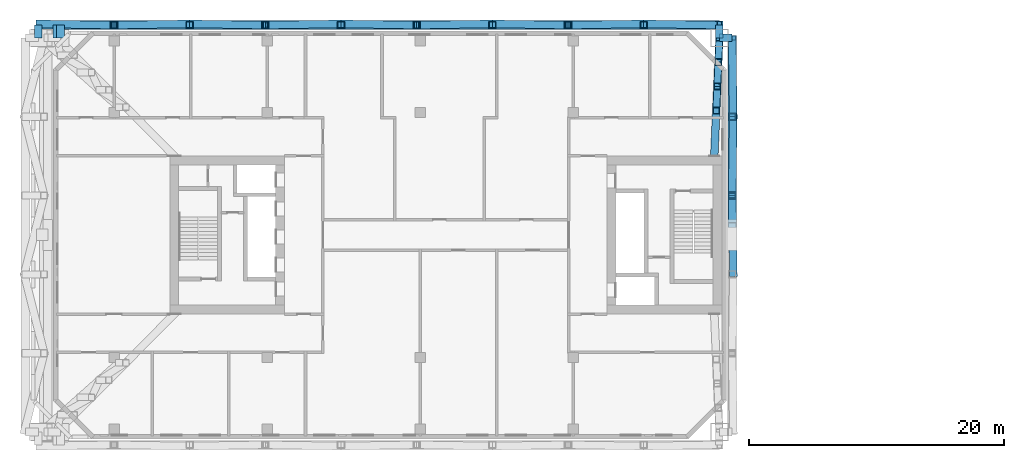
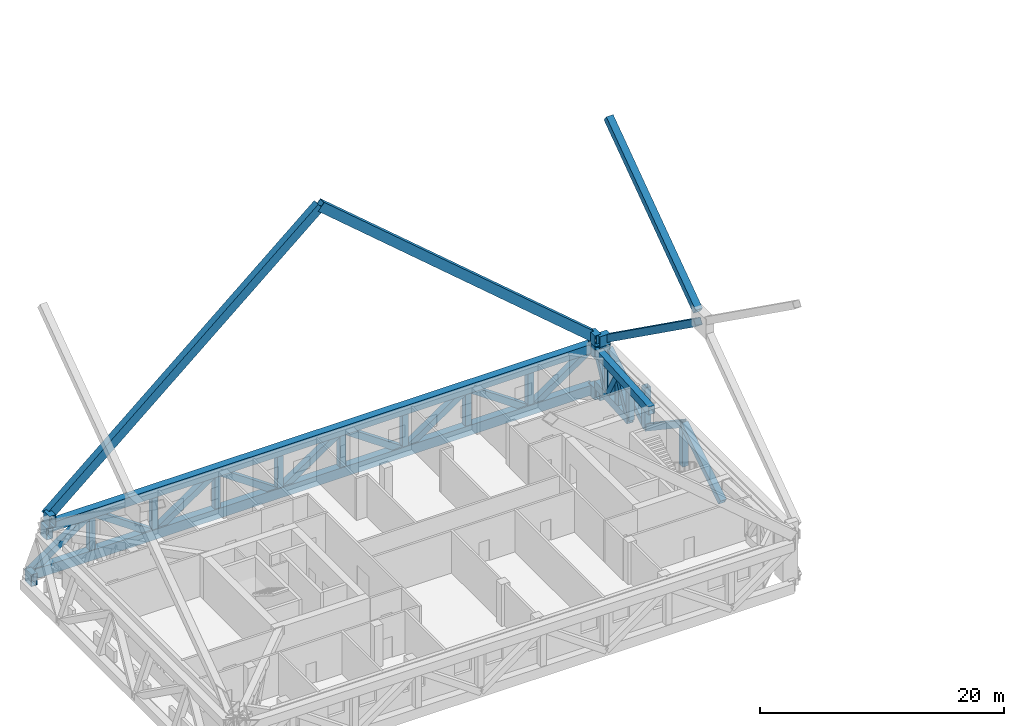
# One storey, part 3 of 20: 32 members, 13 beams.
"""IFC4 building model written with IfcOpenShell, lengths in metres."""

from ifc_helpers import new_model, si_unit, direction, frame, origin, origin_2d, place, context, subcontext, project, spatial, hollow_rectangle, extrude, material, material_profile, profile_set, type_object, element, save


model = new_model("IFC4")

# Units and contexts
model_context = context("Model", 3, precision=1e-05, world=origin(), true_north=direction((0.0, 1.0)))
body_context = subcontext(model_context, "Body", "Model", "MODEL_VIEW")
ifc_project = project(units=[si_unit("LENGTHUNIT", "METRE"), si_unit("AREAUNIT", "SQUARE_METRE"), si_unit("VOLUMEUNIT", "CUBIC_METRE"), si_unit("PLANEANGLEUNIT", "RADIAN"), si_unit("MASSUNIT", "GRAM", prefix="KILO")], contexts=[model_context])

# Site, building, storey
site_placement = place(None, origin())
site = spatial("IfcSite", under=ifc_project, at=site_placement, CompositionType="ELEMENT")
building_placement = place(site_placement, origin())
building = spatial("IfcBuilding", under=site, at=building_placement, Name="Tuart Gate Housing", CompositionType="ELEMENT")
storey_placement = place(building_placement, frame((0.0, 0.0, 62.89990234375)))
storey = spatial("IfcBuildingStorey", under=building, at=storey_placement, Name="L17", CompositionType="ELEMENT", Elevation=62.89990234375)

# Beam
ifc_material_1 = material(Name="Steel Grade 350", Category="steel")
ifc_material_profile_1 = material_profile(ifc_material_1, hollow_rectangle(XDim=0.699951171875, YDim=0.89990234375, WallThickness=0.0400390625, at=origin_2d()), Name="BOX 900x700x40")
ifc_profile_set_1 = profile_set([ifc_material_profile_1], Name="Steel Grade 350")
beam_type_1 = type_object("IfcBeamType", Name="Belt truss chord BOX 900x700x40 (40.9-51.9 m)", PredefinedType="BEAM", material=ifc_profile_set_1)
beam_1_placement = place(storey_placement, frame((23.50830078125, 86.449951171875, 3.75), z_axis=(1.0, 0.0, 0.0), x_axis=(0.0, 1.0, 0.0)))
element("IfcBeam", 1, at=beam_1_placement, inside=storey, type_object=beam_type_1, Name="Belt truss top chord A north L17", PredefinedType="BEAM", context=body_context, shape_type="SweptSolid", body=[
    extrude(hollow_rectangle(XDim=0.699951171875, YDim=0.89990234375, WallThickness=0.0400390625, at=origin_2d()), origin(), (0.0, 0.0, 1.0), 51.941650390625),
])

# Members
ifc_material_2 = material(Name="Steel Grade 350", Category="steel")
ifc_material_profile_2 = material_profile(ifc_material_2, hollow_rectangle(XDim=0.60009765625, YDim=0.60009765625, WallThickness=0.031982421875, at=origin_2d()), Name="BOX 600x600x32")
ifc_profile_set_2 = profile_set([ifc_material_profile_2], Name="Steel Grade 350")
member_type_1 = type_object("IfcMemberType", Name="Belt truss diagonal BOX 600x600x32", PredefinedType="BRACE", material=ifc_profile_set_2)
for number, where, z_axis, x_axis, name in (
    (2, (22.050048828125, 86.550048828125, -0.39990234375), (0.819376919139, -0.013823171495, 0.573088461158), (0.016867945015, 0.999857726095, 0.0), "Belt truss diagonal A north 0 L17"),
    (3, (27.9833984375, 86.449951171875, 3.75), (0.819376919139, 0.013823171495, -0.573088461158), (-0.016867945015, 0.999857726095, 0.0), "Belt truss diagonal A north 1 L17"),
    (4, (33.916748046875, 86.550048828125, -0.39990234375), (0.819376919139, -0.013823171495, 0.573088461158), (0.016867945015, 0.999857726095, 0.0), "Belt truss diagonal A north 2 L17"),
    (5, (39.85009765625, 86.449951171875, 3.75), (0.81936583919, 0.013823553373, -0.573104293249), (-0.016868638914, 0.999857714388, 0.0), "Belt truss diagonal A north 3 L17"),
):
    element("IfcMember", number, at=place(storey_placement, frame(where, z_axis=z_axis, x_axis=x_axis)), inside=storey, type_object=member_type_1, Name=name, PredefinedType="BRACE", context=body_context, shape_type="SweptSolid", body=[
        extrude(hollow_rectangle(XDim=0.60009765625, YDim=0.60009765625, WallThickness=0.031982421875, at=origin_2d()), origin(), (0.0, 0.0, 1.0), 7.2412109375),
    ])
member_1_placement = place(storey_placement, frame((45.783203125, 86.550048828125, -0.39990234375), z_axis=(0.81938799817, -0.013822789633, 0.573072629727), x_axis=(0.016867251173, 0.9998577378, 0.0)))
element("IfcMember", 6, at=member_1_placement, inside=storey, type_object=member_type_1, Name="Belt truss diagonal A north 4 L17", PredefinedType="BRACE", context=body_context, shape_type="SweptSolid", body=[
    extrude(hollow_rectangle(XDim=0.60009765625, YDim=0.60009765625, WallThickness=0.031982421875, at=origin_2d()), origin(), (0.0, 0.0, 1.0), 7.241455078125),
])
for number, where, z_axis, x_axis, name in (
    (7, (51.716796875, 86.449951171875, 3.75), (0.81936583919, 0.013823553373, -0.573104293249), (-0.016868638914, 0.999857714388, 0.0), "Belt truss diagonal A north 5 L17"),
    (8, (57.64990234375, 86.550048828125, -0.39990234375), (0.819376919139, -0.013823171495, 0.573088461158), (0.016867945015, 0.999857726095, 0.0), "Belt truss diagonal A north 6 L17"),
    (9, (63.583251953125, 86.449951171875, 3.75), (0.819376919139, 0.013823171495, -0.573088461158), (-0.016867945015, 0.999857726095, 0.0), "Belt truss diagonal A north 7 L17"),
    (10, (69.5166015625, 86.550048828125, -0.39990234375), (0.819376919139, -0.013823171495, 0.573088461158), (0.016867945015, 0.999857726095, 0.0), "Belt truss diagonal A north 8 L17"),
):
    element("IfcMember", number, at=place(storey_placement, frame(where, z_axis=z_axis, x_axis=x_axis)), inside=storey, type_object=member_type_1, Name=name, PredefinedType="BRACE", context=body_context, shape_type="SweptSolid", body=[
        extrude(hollow_rectangle(XDim=0.60009765625, YDim=0.60009765625, WallThickness=0.031982421875, at=origin_2d()), origin(), (0.0, 0.0, 1.0), 7.2412109375),
    ])
member_2_placement = place(storey_placement, frame((76.550048828125, 66.909912109375, -0.39990234375), z_axis=(-0.013445161909, 0.830123972098, 0.557416736894), x_axis=(-0.999868861343, -0.016194447071, 0.0)))
element("IfcMember", 11, at=member_2_placement, inside=storey, type_object=member_type_1, Name="Belt truss diagonal A east 2 L17", PredefinedType="BRACE", context=body_context, shape_type="SweptSolid", body=[
    extrude(hollow_rectangle(XDim=0.60009765625, YDim=0.60009765625, WallThickness=0.031982421875, at=origin_2d()), origin(), (0.0, 0.0, 1.0), 7.44482421875),
])
for number, where, z_axis, x_axis, name in (
    (12, (76.449951171875, 73.090087890625, 3.75), (0.013445527925, 0.830113776504, -0.55743191139), (-0.999868850984, 0.016195086671, 0.0), "Belt truss diagonal A east 3 L17"),
    (13, (76.550048828125, 79.27001953125, -0.39990234375), (-0.013445527925, 0.830113776504, 0.55743191139), (-0.999868850984, -0.016195086671, 0.0), "Belt truss diagonal A east 4 L17"),
):
    element("IfcMember", number, at=place(storey_placement, frame(where, z_axis=z_axis, x_axis=x_axis)), inside=storey, type_object=member_type_1, Name=name, PredefinedType="BRACE", context=body_context, shape_type="SweptSolid", body=[
        extrude(hollow_rectangle(XDim=0.60009765625, YDim=0.60009765625, WallThickness=0.031982421875, at=origin_2d()), origin(), (0.0, 0.0, 1.0), 7.444580078125),
    ])
ifc_material_3 = material(Name="Steel Grade 350", Category="steel")
ifc_material_profile_3 = material_profile(ifc_material_3, hollow_rectangle(XDim=0.56005859375, YDim=0.56005859375, WallThickness=0.030029296875, at=origin_2d()), Name="BOX 560x560x30")
ifc_profile_set_3 = profile_set([ifc_material_profile_3], Name="Steel Grade 350")
member_type_2 = type_object("IfcMemberType", Name="Belt truss post BOX 560x560x30", PredefinedType="POST", material=ifc_profile_set_3)
for number, where, z_axis, x_axis, name in (
    (14, (27.9833984375, 86.449951171875, -0.39990234375), (0.0, 0.0, 1.0), (1.0, 0.0, 0.0), "Belt truss post A north 1 L17"),
    (15, (33.916748046875, 86.449951171875, -0.39990234375), (0.0, 0.0, 1.0), (1.0, 0.0, 0.0), "Belt truss post A north 2 L17"),
    (16, (39.85009765625, 86.449951171875, -0.39990234375), (0.0, 0.0, 1.0), (1.0, 0.0, 0.0), "Belt truss post A north 3 L17"),
    (17, (45.783203125, 86.449951171875, -0.39990234375), (0.0, 0.0, 1.0), (1.0, 0.0, 0.0), "Belt truss post A north 4 L17"),
    (18, (51.716796875, 86.449951171875, -0.39990234375), (0.0, 0.0, 1.0), (1.0, 0.0, 0.0), "Belt truss post A north 5 L17"),
    (19, (57.64990234375, 86.449951171875, -0.39990234375), (0.0, 0.0, 1.0), (1.0, 0.0, 0.0), "Belt truss post A north 6 L17"),
    (20, (63.583251953125, 86.449951171875, -0.39990234375), (0.0, 0.0, 1.0), (1.0, 0.0, 0.0), "Belt truss post A north 7 L17"),
    (21, (69.5166015625, 86.449951171875, -0.39990234375), (0.0, 0.0, 1.0), (1.0, 0.0, 0.0), "Belt truss post A north 8 L17"),
    (22, (76.449951171875, 73.090087890625, -0.39990234375), (0.0, 0.0, 1.0), (1.0, 0.0, 0.0), "Belt truss post A east 3 L17"),
    (23, (76.449951171875, 79.27001953125, -0.39990234375), (0.0, 0.0, 1.0), (1.0, 0.0, 0.0), "Belt truss post A east 4 L17"),
):
    element("IfcMember", number, at=place(storey_placement, frame(where, z_axis=z_axis, x_axis=x_axis)), inside=storey, type_object=member_type_2, Name=name, PredefinedType="POST", context=body_context, shape_type="SweptSolid", body=[
        extrude(hollow_rectangle(XDim=0.56005859375, YDim=0.56005859375, WallThickness=0.030029296875, at=origin_2d()), origin(), (0.0, 0.0, 1.0), 4.14990234375),
    ])

# Beams
ifc_material_4 = material(Name="Steel Grade 350", Category="steel")
ifc_material_profile_4 = material_profile(ifc_material_4, hollow_rectangle(XDim=0.60009765625, YDim=1.199951171875, WallThickness=0.0400390625, at=origin_2d()), Name="BOX 1200x600x40")
ifc_profile_set_4 = profile_set([ifc_material_profile_4], Name="Steel Grade 350")
beam_type_2 = type_object("IfcBeamType", Name="Brace shoe BOX 1200x600x40", PredefinedType="BEAM", material=ifc_profile_set_4)
for number, where, z_axis, x_axis, name in (
    (24, (22.050048828125, 85.449951171875, -0.39990234375), (0.0, 1.0, 0.0), (-1.0, 0.0, 0.0), "Mega tie beam A node 2 north shoe 0 L17"),
    (25, (75.449951171875, 85.449951171875, -0.39990234375), (0.0, 1.0, 0.0), (-1.0, 0.0, 0.0), "Mega tie beam A node 2 north shoe 1 L17"),
    (26, (75.449951171875, 85.449951171875, -0.39990234375), (1.0, 0.0, 0.0), (0.0, 1.0, 0.0), "Mega tie beam A node 2 east shoe 1 L17"),
    (27, (23.800048828125, 85.449951171875, 4.820068359375), (0.0, 1.0, 0.0), (-1.0, 0.0, 0.0), "Mega brace shoe A zone 3 north chevron 1"),
    (28, (75.449951171875, 85.449951171875, 4.820068359375), (0.0, 1.0, 0.0), (-1.0, 0.0, 0.0), "Mega brace shoe A zone 3 north chevron 2"),
    (29, (75.449951171875, 85.449951171875, 4.820068359375), (1.0, 0.0, 0.0), (0.0, 1.0, 0.0), "Mega brace shoe A zone 3 east cross 2"),
    (30, (23.50830078125, 85.449951171875, 3.75), (0.0, 1.0, 0.0), (-1.0, 0.0, 0.0), "Belt truss top chord A north shoe 0 L17"),
    (31, (75.449951171875, 85.449951171875, 3.75), (0.0, 1.0, 0.0), (-1.0, 0.0, 0.0), "Belt truss top chord A north shoe 1 L17"),
    (32, (75.449951171875, 85.449951171875, 3.75), (1.0, 0.0, 0.0), (0.0, 1.0, 0.0), "Belt truss top chord A east shoe 1 L17"),
):
    element("IfcBeam", number, at=place(storey_placement, frame(where, z_axis=z_axis, x_axis=x_axis)), inside=storey, type_object=beam_type_2, Name=name, PredefinedType="BEAM", context=body_context, shape_type="SweptSolid", body=[
        extrude(hollow_rectangle(XDim=0.60009765625, YDim=1.199951171875, WallThickness=0.0400390625, at=origin_2d()), origin(), (0.0, 0.0, 1.0), 1.0),
    ])

# Members
ifc_material_5 = material(Name="Steel Grade 350", Category="steel")
ifc_material_profile_5 = material_profile(ifc_material_5, hollow_rectangle(XDim=0.659912109375, YDim=0.659912109375, WallThickness=0.032958984375, at=origin_2d()), Name="BOX 660x660x33")
ifc_profile_set_5 = profile_set([ifc_material_profile_5], Name="Steel Grade 350")
member_type_3 = type_object("IfcMemberType", Name="Mega brace BOX 660x660x33", PredefinedType="BRACE", material=ifc_profile_set_5)
for number, where, z_axis, x_axis, name in (
    (33, (76.449951171875, 70.77294921875, 16.412353515625), (0.0, 0.813622806958, 0.581393092492), (-1.0, 0.0, 0.0), "Mega brace A zone 3 east cross 1 b"),
    (34, (76.449951171875, 85.449951171875, 4.820068359375), (0.0, -0.813622806958, 0.581393092492), (1.0, 0.0, 0.0), "Mega brace A zone 3 east cross 2 a"),
):
    element("IfcMember", number, at=place(storey_placement, frame(where, z_axis=z_axis, x_axis=x_axis)), inside=storey, type_object=member_type_3, Name=name, PredefinedType="BRACE", context=body_context, shape_type="SweptSolid", body=[
        extrude(hollow_rectangle(XDim=0.659912109375, YDim=0.659912109375, WallThickness=0.032958984375, at=origin_2d()), origin(), (0.0, 0.0, 1.0), 18.0390625),
    ])
ifc_material_6 = material(Name="Steel Grade 350", Category="steel")
ifc_material_profile_6 = material_profile(ifc_material_6, hollow_rectangle(XDim=0.659912109375, YDim=0.89990234375, WallThickness=0.044921875, at=origin_2d()), Name="BOX 900x660x45")
ifc_profile_set_6 = profile_set([ifc_material_profile_6], Name="Steel Grade 350")
member_type_4 = type_object("IfcMemberType", Name="Mega brace BOX 900x660x45", PredefinedType="BRACE", material=ifc_profile_set_6)
for number, where, z_axis, x_axis, name in (
    (35, (23.800048828125, 86.449951171875, 4.820068359375), (0.760064500852, 0.0, 0.649847639485), (0.0, 1.0, 0.0), "Mega brace A zone 3 north chevron 1"),
    (36, (75.449951171875, 86.449951171875, 4.820068359375), (-0.760064500852, 0.0, 0.649847639485), (0.0, -1.0, 0.0), "Mega brace A zone 3 north chevron 2"),
):
    element("IfcMember", number, at=place(storey_placement, frame(where, z_axis=z_axis, x_axis=x_axis)), inside=storey, type_object=member_type_4, Name=name, PredefinedType="BRACE", context=body_context, shape_type="SweptSolid", body=[
        extrude(hollow_rectangle(XDim=0.659912109375, YDim=0.89990234375, WallThickness=0.044921875, at=origin_2d()), origin(), (0.0, 0.0, 1.0), 33.977294921875),
    ])

# Beams
ifc_material_7 = material(Name="Steel Grade 350", Category="steel")
ifc_material_profile_7 = material_profile(ifc_material_7, hollow_rectangle(XDim=0.60009765625, YDim=0.800048828125, WallThickness=0.0400390625, at=origin_2d()), Name="BOX 800x600x40")
ifc_profile_set_7 = profile_set([ifc_material_profile_7], Name="Steel Grade 350")
beam_type_3 = type_object("IfcBeamType", Name="Outrigger chord BOX 800x600x40", PredefinedType="BEAM", material=ifc_profile_set_7)
beam_2_placement = place(storey_placement, frame((75.2041015625, 79.75, 0.550048828125), z_axis=(0.043091815399, 0.99907111631, 0.0), x_axis=(-0.99907111631, 0.043091815399, 0.0)))
element("IfcBeam", 37, at=beam_2_placement, inside=storey, type_object=beam_type_3, Name="Outrigger bottom chord AG north 0 L17", PredefinedType="BEAM", context=body_context, shape_type="SweptSolid", body=[
    extrude(hollow_rectangle(XDim=0.60009765625, YDim=0.800048828125, WallThickness=0.0400390625, at=origin_2d()), origin(), (0.0, 0.0, 1.0), 5.705322265625),
])
ifc_material_8 = material(Name="Steel Grade 350", Category="steel")
ifc_material_profile_8 = material_profile(ifc_material_8, hollow_rectangle(XDim=0.60009765625, YDim=0.800048828125, WallThickness=0.0400390625, at=origin_2d()), Name="BOX 800x600x40")
ifc_profile_set_8 = profile_set([ifc_material_profile_8], Name="Steel Grade 350")
beam_type_4 = type_object("IfcBeamType", Name="Outrigger chord BOX 800x600x40 (8.2-10.5 m)", PredefinedType="BEAM", material=ifc_profile_set_8)
beam_3_placement = place(storey_placement, frame((75.0400390625, 75.949951171875, 3.800048828125), z_axis=(0.043108531904, 0.999070395156, 0.0), x_axis=(-0.999070395156, 0.043108531904, 0.0)))
element("IfcBeam", 38, at=beam_3_placement, inside=storey, type_object=beam_type_4, Name="Outrigger top chord AG north L17", PredefinedType="BEAM", context=body_context, shape_type="SweptSolid", body=[
    extrude(hollow_rectangle(XDim=0.60009765625, YDim=0.800048828125, WallThickness=0.0400390625, at=origin_2d()), origin(), (0.0, 0.0, 1.0), 9.5087890625),
])

# Members
ifc_material_9 = material(Name="Steel Grade 350", Category="steel")
ifc_material_profile_9 = material_profile(ifc_material_9, hollow_rectangle(XDim=0.5400390625, YDim=0.5400390625, WallThickness=0.030029296875, at=origin_2d()), Name="BOX 540x540x30")
ifc_profile_set_9 = profile_set([ifc_material_profile_9], Name="Steel Grade 350")
member_type_5 = type_object("IfcMemberType", Name="Outrigger diagonal BOX 540x540x30", PredefinedType="BRACE", material=ifc_profile_set_9)
member_3_placement = place(storey_placement, frame((75.2041015625, 79.75, 0.550048828125), z_axis=(0.021720251236, 0.504558194384, 0.863104431205), x_axis=(-0.999074718087, 0.043008228034, 0.0)))
element("IfcMember", 39, at=member_3_placement, inside=storey, type_object=member_type_5, Name="Outrigger diagonal AG north 2 L17", PredefinedType="BRACE", context=body_context, shape_type="SweptSolid", body=[
    extrude(hollow_rectangle(XDim=0.5400390625, YDim=0.5400390625, WallThickness=0.030029296875, at=origin_2d()), origin(), (0.0, 0.0, 1.0), 3.765380859375),
])
member_4_placement = place(storey_placement, frame((75.285888671875, 81.64990234375, 3.800048828125), z_axis=(0.021784344401, 0.504605810923, -0.863074978158), x_axis=(-0.999069432334, 0.043130840198, 0.0)))
element("IfcMember", 40, at=member_4_placement, inside=storey, type_object=member_type_5, Name="Outrigger diagonal AG north 3 L17", PredefinedType="BRACE", context=body_context, shape_type="SweptSolid", body=[
    extrude(hollow_rectangle(XDim=0.5400390625, YDim=0.5400390625, WallThickness=0.030029296875, at=origin_2d()), origin(), (0.0, 0.0, 1.0), 3.765625),
])
member_5_placement = place(storey_placement, frame((75.367919921875, 83.550048828125, 0.550048828125), z_axis=(0.021785057082, 0.504557482773, 0.863103213913), x_axis=(-0.999069193493, 0.043136372271, 0.0)))
element("IfcMember", 41, at=member_5_placement, inside=storey, type_object=member_type_5, Name="Outrigger diagonal AG north 4 L17", PredefinedType="BRACE", context=body_context, shape_type="SweptSolid", body=[
    extrude(hollow_rectangle(XDim=0.5400390625, YDim=0.5400390625, WallThickness=0.030029296875, at=origin_2d()), origin(), (0.0, 0.0, 1.0), 3.765380859375),
])
ifc_material_10 = material(Name="Steel Grade 350", Category="steel")
ifc_material_profile_10 = material_profile(ifc_material_10, hollow_rectangle(XDim=0.52001953125, YDim=0.52001953125, WallThickness=0.028076171875, at=origin_2d()), Name="BOX 520x520x28")
ifc_profile_set_10 = profile_set([ifc_material_profile_10], Name="Steel Grade 350")
member_type_6 = type_object("IfcMemberType", Name="Outrigger post BOX 520x520x28", PredefinedType="POST", material=ifc_profile_set_10)
for number, where, z_axis, x_axis, name in (
    (42, (75.2041015625, 79.75, 0.550048828125), (0.0, 0.0, 1.0), (1.0, 0.0, 0.0), "Outrigger post AG north 2 L17"),
    (43, (75.285888671875, 81.64990234375, 0.550048828125), (0.0, 0.0, 1.0), (1.0, 0.0, 0.0), "Outrigger post AG north 3 L17"),
    (44, (75.367919921875, 83.550048828125, 0.550048828125), (0.0, 0.0, 1.0), (1.0, 0.0, 0.0), "Outrigger post AG north 4 L17"),
):
    element("IfcMember", number, at=place(storey_placement, frame(where, z_axis=z_axis, x_axis=x_axis)), inside=storey, type_object=member_type_6, Name=name, PredefinedType="POST", context=body_context, shape_type="SweptSolid", body=[
        extrude(hollow_rectangle(XDim=0.52001953125, YDim=0.52001953125, WallThickness=0.028076171875, at=origin_2d()), origin(), (0.0, 0.0, 1.0), 3.25),
    ])

# Beam
ifc_material_11 = material(Name="Steel Grade 350", Category="steel")
ifc_material_profile_11 = material_profile(ifc_material_11, hollow_rectangle(XDim=0.699951171875, YDim=1.0, WallThickness=0.0439453125, at=origin_2d()), Name="BOX 1000x700x44")
ifc_profile_set_11 = profile_set([ifc_material_profile_11], Name="Steel Grade 350")
beam_type_5 = type_object("IfcBeamType", Name="Tie beam BOX 1000x700x44", PredefinedType="BEAM", material=ifc_profile_set_11)
beam_4_placement = place(storey_placement, frame((22.050048828125, 86.449951171875, -0.39990234375), z_axis=(1.0, 0.0, 0.0), x_axis=(0.0, 1.0, 0.0)))
element("IfcBeam", 45, at=beam_4_placement, inside=storey, type_object=beam_type_5, Name="Mega tie beam A node 2 north L17", PredefinedType="BEAM", context=body_context, shape_type="SweptSolid", body=[
    extrude(hollow_rectangle(XDim=0.699951171875, YDim=1.0, WallThickness=0.0439453125, at=origin_2d()), origin(), (0.0, 0.0, 1.0), 53.39990234375),
])

save(model, "model.ifc")
